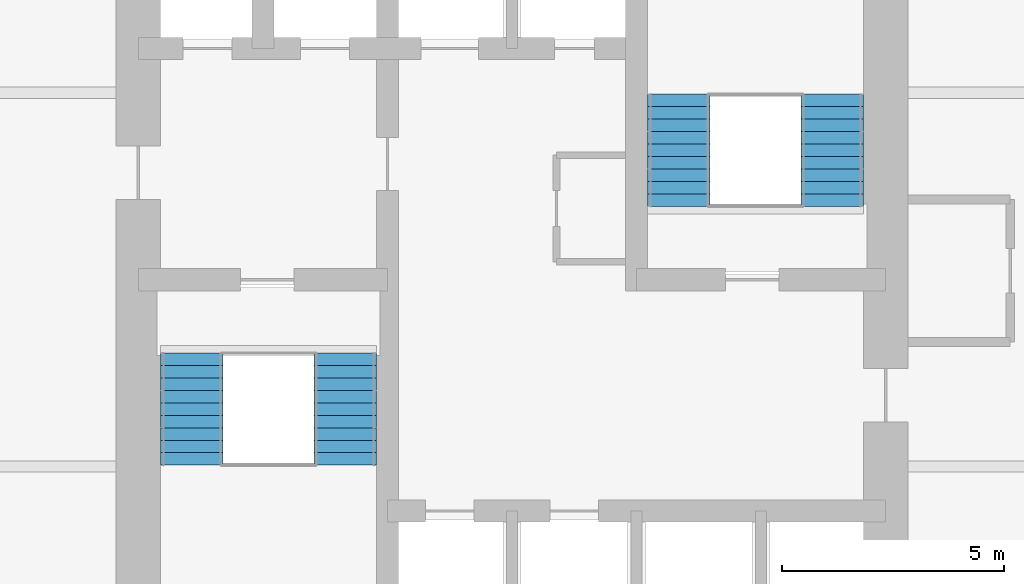
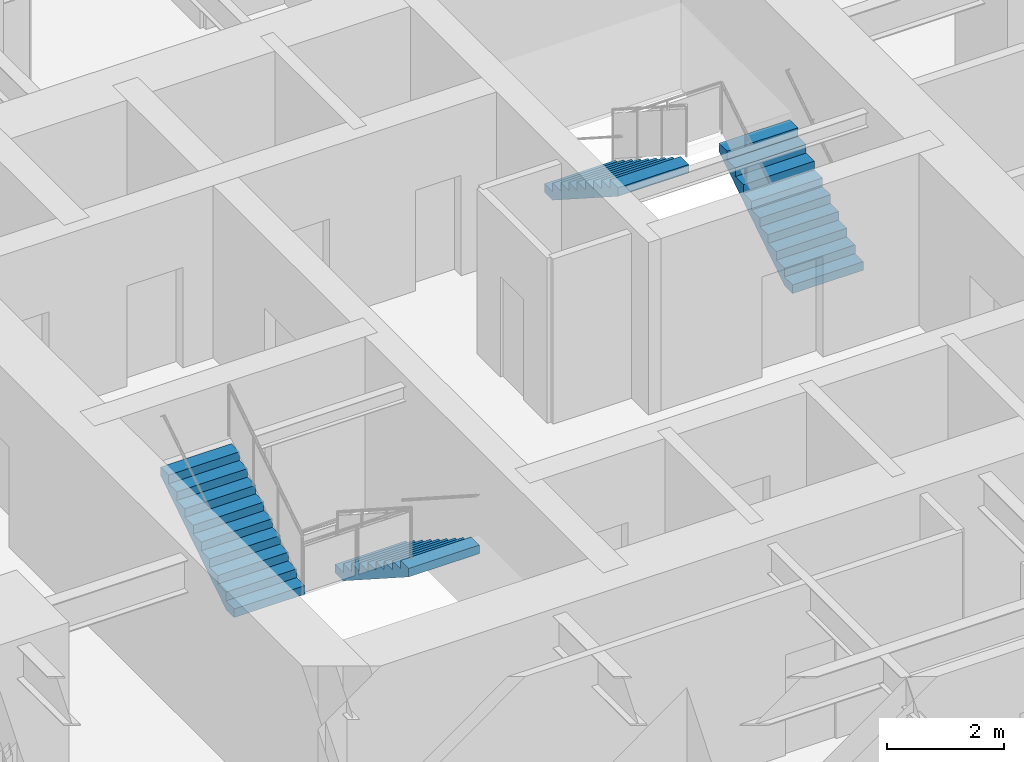
# One storey, part 15 of 17: 4 stair flights, 2 elements without a shape of their own.
"""IFC4 building model written with IfcOpenShell, lengths in metres."""

from ifc_helpers import new_model, si_unit, direction, frame, origin, place, context, subcontext, project, spatial, polyline, outline, extrude, material, type_object, element, aggregate, save


model = new_model("IFC4")

# Units and contexts
model_context = context("Model", 3, precision=1e-05, world=origin(), true_north=direction((0.0, 1.0)))
body_context = subcontext(model_context, "Body", "Model", "MODEL_VIEW")
ifc_project = project(units=[si_unit("LENGTHUNIT", "METRE"), si_unit("AREAUNIT", "SQUARE_METRE"), si_unit("VOLUMEUNIT", "CUBIC_METRE"), si_unit("PLANEANGLEUNIT", "RADIAN"), si_unit("MASSUNIT", "GRAM", prefix="KILO")], contexts=[model_context])

# Site, building, storey
site_placement = place(None, origin())
site = spatial("IfcSite", under=ifc_project, at=site_placement, CompositionType="ELEMENT")
building_placement = place(site_placement, origin())
building = spatial("IfcBuilding", under=site, at=building_placement, Name="Torre Alcanfor", CompositionType="ELEMENT")
storey_placement = place(building_placement, frame((0.0, 0.0, 38.10009765625)))
storey = spatial("IfcBuildingStorey", under=building, at=storey_placement, Name="L08", CompositionType="ELEMENT", Elevation=38.10009765625)

# Stair, stair flights
ifc_material_1 = material(Name="Concrete f'c 35 MPa", Category="concrete")
stair_type_1 = type_object("IfcStairType", Name="Exit stair S1 1400 wide", PredefinedType="HALF_TURN_STAIR", material=ifc_material_1)
stair_1_placement = place(storey_placement, origin())
stair_1 = element("IfcStair", 1, at=stair_1_placement, inside=storey, type_object=stair_type_1, Name="Stair S1 L08 to L09", PredefinedType="HALF_TURN_STAIR")
ifc_material_2 = material(Name="Concrete f'c 35 MPa", Category="concrete")
stair_flight_type = type_object("IfcStairFlightType", Name="Stair flight 1400", PredefinedType="STRAIGHT", material=ifc_material_2)
stair_flight_1_placement = place(storey_placement, frame((25.64990234375, 27.75, 0.0), z_axis=(0.0, 0.0, 1.0), x_axis=(0.0, -1.0, 0.0)))
stair_flight_1 = element("IfcStairFlight", 2, at=stair_flight_1_placement, type_object=stair_flight_type, Name="S1 flight 1", NumberOfRisers=10, NumberOfTreads=9, PredefinedType="STRAIGHT", RiserHeight=0.18, TreadLength=0.28, context=body_context, shape_type="SweptSolid", body=[
    extrude(outline(polyline([(0.0, 0.0), (0.0, 0.179931640625), (0.280029296875, 0.179931640625), (0.280029296875, 0.360107421875), (0.56005859375, 0.360107421875), (0.56005859375, 0.5400390625), (0.840087890625, 0.5400390625), (0.840087890625, 0.719970703125), (1.1201171875, 0.719970703125), (1.1201171875, 0.89990234375), (1.39990234375, 0.89990234375), (1.39990234375, 1.080078125), (1.679931640625, 1.080078125), (1.679931640625, 1.260009765625), (1.9599609375, 1.260009765625), (1.9599609375, 1.43994140625), (2.239990234375, 1.43994140625), (2.239990234375, 1.6201171875), (2.52001953125, 1.6201171875), (2.52001953125, 1.800048828125), (2.52001953125, 1.44189453125), (0.277099609375, 0.0), (0.0, 0.0)])), frame((0.0, 0.699951171875, 0.0), z_axis=(0.0, -1.0, 0.0), x_axis=(1.0, 0.0, 0.0)), (0.0, 0.0, 1.0), 1.39990234375),
])
stair_flight_2_placement = place(storey_placement, frame((22.199951171875, 25.22998046875, 1.7998046875), z_axis=(0.0, 0.0, 1.0), x_axis=(0.0, 1.0, 0.0)))
stair_flight_2 = element("IfcStairFlight", 3, at=stair_flight_2_placement, type_object=stair_flight_type, Name="S1 flight 2", NumberOfRisers=10, NumberOfTreads=9, PredefinedType="STRAIGHT", RiserHeight=0.18, TreadLength=0.28, context=body_context, shape_type="SweptSolid", body=[
    extrude(outline(polyline([(0.0, 0.0), (0.0, 0.179931640625), (0.280029296875, 0.179931640625), (0.280029296875, 0.360107421875), (0.56005859375, 0.360107421875), (0.56005859375, 0.5400390625), (0.840087890625, 0.5400390625), (0.840087890625, 0.719970703125), (1.1201171875, 0.719970703125), (1.1201171875, 0.89990234375), (1.39990234375, 0.89990234375), (1.39990234375, 1.080078125), (1.679931640625, 1.080078125), (1.679931640625, 1.260009765625), (1.9599609375, 1.260009765625), (1.9599609375, 1.43994140625), (2.239990234375, 1.43994140625), (2.239990234375, 1.6201171875), (2.52001953125, 1.6201171875), (2.52001953125, 1.800048828125), (2.52001953125, 1.44189453125), (0.277099609375, 0.0), (0.0, 0.0)])), frame((0.0, 0.699951171875, 0.0), z_axis=(0.0, -1.0, 0.0), x_axis=(1.0, 0.0, 0.0)), (0.0, 0.0, 1.0), 1.39990234375),
])
aggregate(stair_1, [stair_flight_1, stair_flight_2])

ifc_material_3 = material(Name="Concrete f'c 35 MPa", Category="concrete")
stair_type_2 = type_object("IfcStairType", Name="Exit stair S2 1400 wide", PredefinedType="HALF_TURN_STAIR", material=ifc_material_3)
stair_2_placement = place(storey_placement, origin())
stair_2 = element("IfcStair", 4, at=stair_2_placement, inside=storey, type_object=stair_type_2, Name="Stair S2 L08 to L09", PredefinedType="HALF_TURN_STAIR")
stair_flight_3_placement = place(storey_placement, frame((36.60009765625, 31.050048828125, 0.0), z_axis=(0.0, 0.0, 1.0), x_axis=(0.0, 1.0, 0.0)))
stair_flight_3 = element("IfcStairFlight", 5, at=stair_flight_3_placement, type_object=stair_flight_type, Name="S2 flight 1", NumberOfRisers=10, NumberOfTreads=9, PredefinedType="STRAIGHT", RiserHeight=0.18, TreadLength=0.28, context=body_context, shape_type="SweptSolid", body=[
    extrude(outline(polyline([(0.0, 0.0), (0.0, 0.179931640625), (0.280029296875, 0.179931640625), (0.280029296875, 0.360107421875), (0.56005859375, 0.360107421875), (0.56005859375, 0.5400390625), (0.840087890625, 0.5400390625), (0.840087890625, 0.719970703125), (1.1201171875, 0.719970703125), (1.1201171875, 0.89990234375), (1.39990234375, 0.89990234375), (1.39990234375, 1.080078125), (1.679931640625, 1.080078125), (1.679931640625, 1.260009765625), (1.9599609375, 1.260009765625), (1.9599609375, 1.43994140625), (2.239990234375, 1.43994140625), (2.239990234375, 1.6201171875), (2.52001953125, 1.6201171875), (2.52001953125, 1.800048828125), (2.52001953125, 1.44189453125), (0.277099609375, 0.0), (0.0, 0.0)])), frame((0.0, 0.699951171875, 0.0), z_axis=(0.0, -1.0, 0.0), x_axis=(1.0, 0.0, 0.0)), (0.0, 0.0, 1.0), 1.39990234375),
])
stair_flight_4_placement = place(storey_placement, frame((33.14990234375, 33.570068359375, 1.7998046875), z_axis=(0.0, 0.0, 1.0), x_axis=(0.0, -1.0, 0.0)))
stair_flight_4 = element("IfcStairFlight", 6, at=stair_flight_4_placement, type_object=stair_flight_type, Name="S2 flight 2", NumberOfRisers=10, NumberOfTreads=9, PredefinedType="STRAIGHT", RiserHeight=0.18, TreadLength=0.28, context=body_context, shape_type="SweptSolid", body=[
    extrude(outline(polyline([(0.0, 0.0), (0.0, 0.179931640625), (0.280029296875, 0.179931640625), (0.280029296875, 0.360107421875), (0.56005859375, 0.360107421875), (0.56005859375, 0.5400390625), (0.840087890625, 0.5400390625), (0.840087890625, 0.719970703125), (1.1201171875, 0.719970703125), (1.1201171875, 0.89990234375), (1.39990234375, 0.89990234375), (1.39990234375, 1.080078125), (1.679931640625, 1.080078125), (1.679931640625, 1.260009765625), (1.9599609375, 1.260009765625), (1.9599609375, 1.43994140625), (2.239990234375, 1.43994140625), (2.239990234375, 1.6201171875), (2.52001953125, 1.6201171875), (2.52001953125, 1.800048828125), (2.52001953125, 1.44189453125), (0.277099609375, 0.0), (0.0, 0.0)])), frame((0.0, 0.699951171875, 0.0), z_axis=(0.0, -1.0, 0.0), x_axis=(1.0, 0.0, 0.0)), (0.0, 0.0, 1.0), 1.39990234375),
])
aggregate(stair_2, [stair_flight_3, stair_flight_4])

save(model, "model.ifc")
